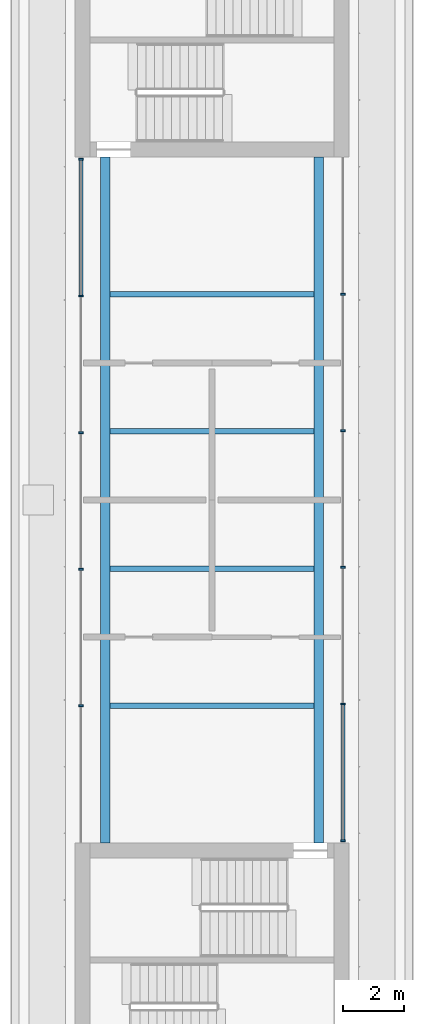
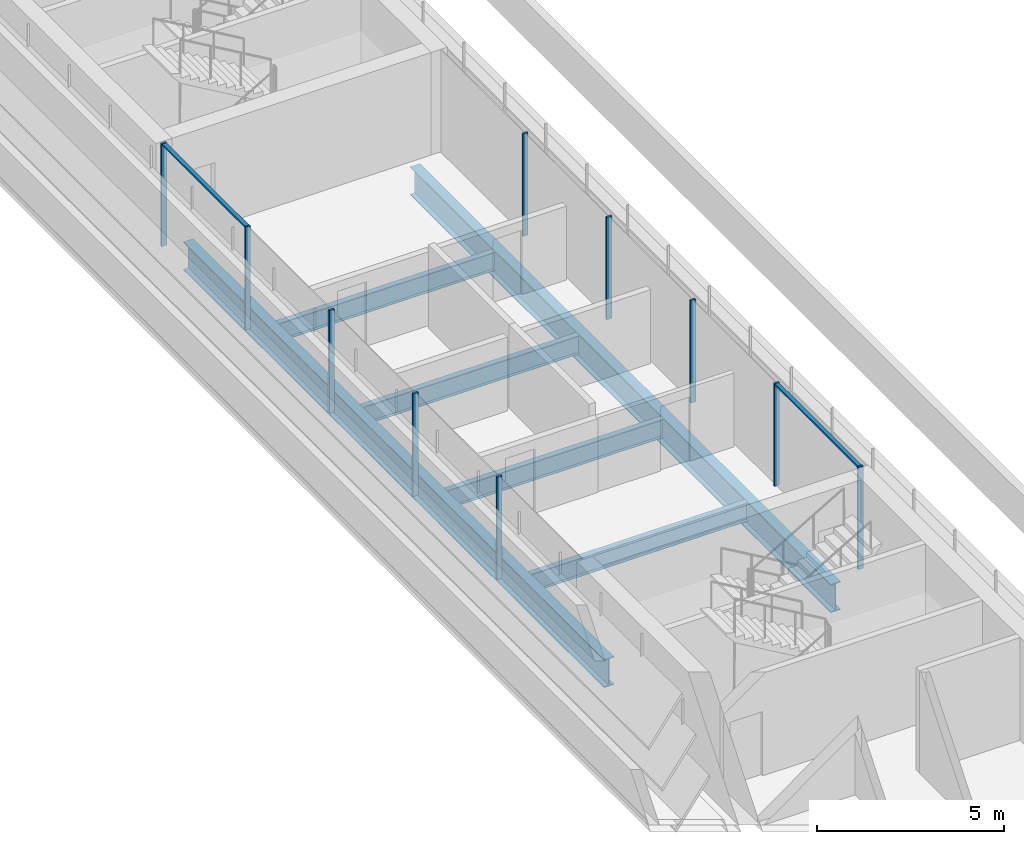
# One storey, part 1 of 6: 12 members, 6 beams, 2 elements without a shape of their own.
"""IFC4 building model written with IfcOpenShell, lengths in metres."""

from ifc_helpers import new_model, si_unit, direction, frame, origin, origin_2d, place, context, subcontext, project, spatial, polyline, i_section, outline, extrude, source, transform, mapped, material, material_profile, profile_set, type_object, element, aggregate, save


model = new_model("IFC4")

# Units and contexts
model_context = context("Model", 3, precision=1e-05, world=origin(), true_north=direction((0.0, 1.0)))
body_context = subcontext(model_context, "Body", "Model", "MODEL_VIEW")
ifc_project = project(units=[si_unit("LENGTHUNIT", "METRE"), si_unit("AREAUNIT", "SQUARE_METRE"), si_unit("VOLUMEUNIT", "CUBIC_METRE"), si_unit("PLANEANGLEUNIT", "RADIAN"), si_unit("MASSUNIT", "GRAM", prefix="KILO")], contexts=[model_context])

# Site, building, storey
site_placement = place(None, origin())
site = spatial("IfcSite", under=ifc_project, at=site_placement, CompositionType="ELEMENT")
building_placement = place(site_placement, origin())
building = spatial("IfcBuilding", under=site, at=building_placement, Name="Zarbagh Exchange Tower", CompositionType="ELEMENT")
storey_placement = place(building_placement, frame((0.0, 0.0, 316.800048828125)))
storey = spatial("IfcBuildingStorey", under=building, at=storey_placement, Name="L78", CompositionType="ELEMENT", Elevation=316.800048828125)

# Beams
ifc_material_1 = material(Name="Steel ASTM A992 Gr 50", Category="steel")
ifc_material_profile_1 = material_profile(ifc_material_1, i_section(OverallWidth=0.1787109375, OverallDepth=0.60205078125, WebThickness=0.010986328125, FlangeThickness=0.014892578125, at=origin_2d()), Name="W24X62")
ifc_profile_set_1 = profile_set([ifc_material_profile_1], Name="Steel ASTM A992 Gr 50")
beam_type_1 = type_object("IfcBeamType", Name="Floor beam W24X62", PredefinedType="BEAM", material=ifc_profile_set_1)
for number, where, z_axis, x_axis, name in (
    (1, (-3.34765625, -6.75, -0.450927734375), (1.0, 0.0, 0.0), (0.0, 1.0, 0.0), "Steel floor beam"),
    (2, (-3.34765625, -2.25, -0.450927734375), (1.0, 0.0, 0.0), (0.0, 1.0, 0.0), "Steel floor beam"),
    (3, (-3.34765625, 2.25, -0.450927734375), (1.0, 0.0, 0.0), (0.0, 1.0, 0.0), "Steel floor beam"),
    (4, (-3.34765625, 6.75, -0.450927734375), (1.0, 0.0, 0.0), (0.0, 1.0, 0.0), "Steel floor beam"),
):
    element("IfcBeam", number, at=place(storey_placement, frame(where, z_axis=z_axis, x_axis=x_axis)), inside=storey, type_object=beam_type_1, Name=name, PredefinedType="BEAM", context=body_context, shape_type="SweptSolid", body=[
        extrude(i_section(OverallWidth=0.1787109375, OverallDepth=0.60205078125, WebThickness=0.010986328125, FlangeThickness=0.014892578125, at=origin_2d()), origin(), (0.0, 0.0, 1.0), 6.6953125),
    ])
ifc_material_profile_2 = material_profile(ifc_material_1, i_section(OverallWidth=0.3046875, OverallDepth=0.91943359375, WebThickness=0.017333984375, FlangeThickness=0.02783203125, at=origin_2d()), Name="W36X170")
ifc_profile_set_2 = profile_set([ifc_material_profile_2], Name="Steel ASTM A992 Gr 50")
beam_type_2 = type_object("IfcBeamType", Name="Floor girder W36X170", PredefinedType="BEAM", material=ifc_profile_set_2)
for number, where, z_axis, x_axis, name in (
    (5, (-3.5, -11.25, -0.60986328125), (0.0, 1.0, 0.0), (-1.0, 0.0, 0.0), "Steel girder"),
    (6, (3.5, -11.25, -0.60986328125), (0.0, 1.0, 0.0), (-1.0, 0.0, 0.0), "Steel girder"),
):
    element("IfcBeam", number, at=place(storey_placement, frame(where, z_axis=z_axis, x_axis=x_axis)), inside=storey, type_object=beam_type_2, Name=name, PredefinedType="BEAM", context=body_context, shape_type="SweptSolid", body=[
        extrude(i_section(OverallWidth=0.3046875, OverallDepth=0.91943359375, WebThickness=0.017333984375, FlangeThickness=0.02783203125, at=origin_2d()), origin(), (0.0, 0.0, 1.0), 22.5),
    ])

# Curtain wall, member
ifc_material_2 = material(Name="Anodised aluminium frame and glazing", Category="aluminium")
curtain_wall_type = type_object("IfcCurtainWallType", Name="CWF Crown tier glazing", PredefinedType="NOTDEFINED", material=ifc_material_2)
curtain_wall_1_placement = place(storey_placement, origin())
curtain_wall_1 = element("IfcCurtainWall", 7, at=curtain_wall_1_placement, inside=storey, type_object=curtain_wall_type, Name="CWF51 curtain wall", PredefinedType="NOTDEFINED")
ifc_material_3 = material(Name="Anodised aluminium frame", Category="aluminium")
member_type_1 = type_object("IfcMemberType", Name="TRF Transom, anodised aluminium frame", PredefinedType="USERDEFINED", material=ifc_material_3)
shared_shape_1 = source(origin(), body_context, "Body", "SweptSolid", [
    extrude(outline(polyline([(-0.06005859375, -0.06005859375), (0.0, -0.06005859375), (0.0, 0.06005859375), (-0.06005859375, 0.06005859375), (-0.06005859375, -0.06005859375)])), origin(), (0.0, 0.0, 1.0), 4.424072265625),
])
placement = place(storey_placement, origin())
member_1 = element("IfcMember", 8, at=placement, type_object=member_type_1, Name="CWF51 transom 1.1", ObjectType="TRANSOM", PredefinedType="USERDEFINED", context=body_context, shape_type="MappedRepresentation", body=[
    mapped(shared_shape_1, transform((4.300048828125, -11.14990234375, 3.349853515625), x_axis=(0.0, 0.0, 1.0), y_axis=(1.0, 0.0, 0.0), z_axis=(0.0, 1.0, 0.0))),
])

curtain_wall_2_placement = place(storey_placement, origin())
curtain_wall_2 = element("IfcCurtainWall", 9, at=curtain_wall_2_placement, inside=storey, type_object=curtain_wall_type, Name="CWF52 curtain wall", PredefinedType="NOTDEFINED")
member_2 = element("IfcMember", 10, at=placement, type_object=member_type_1, Name="CWF52 transom 1.1", ObjectType="TRANSOM", PredefinedType="USERDEFINED", context=body_context, shape_type="MappedRepresentation", body=[
    mapped(shared_shape_1, transform((-4.300048828125, 11.14990234375, 3.349853515625), x_axis=(0.0, 0.0, 1.0), y_axis=(-1.0, 0.0, 0.0), z_axis=(0.0, -1.0, 0.0))),
])

# Member
member_type_2 = type_object("IfcMemberType", Name="MUF Mullion, anodised aluminium frame", PredefinedType="MULLION", material=ifc_material_3)
shared_shape_2 = source(origin(), body_context, "Body", "SweptSolid", [
    extrude(outline(polyline([(0.0, -0.080078125), (0.06005859375, -0.080078125), (0.06005859375, 0.080078125), (0.0, 0.080078125), (0.0, -0.080078125)])), origin(), (0.0, 0.0, 1.0), 3.35009765625),
])
member_3 = element("IfcMember", 11, at=placement, type_object=member_type_2, Name="CWF51 mullion 1.1", PredefinedType="MULLION", context=body_context, shape_type="MappedRepresentation", body=[
    mapped(shared_shape_2, transform((4.300048828125, -11.2099609375, 0.0), x_axis=(0.0, 1.0, 0.0), y_axis=(-1.0, 0.0, 0.0), z_axis=(0.0, 0.0, 1.0))),
])

member_4 = element("IfcMember", 12, at=placement, type_object=member_type_2, Name="CWF51 mullion 1.2", PredefinedType="MULLION", context=body_context, shape_type="MappedRepresentation", body=[
    mapped(shared_shape_2, transform((4.300048828125, -6.72607421875, 0.0), x_axis=(0.0, 1.0, 0.0), y_axis=(-1.0, 0.0, 0.0), z_axis=(0.0, 0.0, 1.0))),
])

member_5 = element("IfcMember", 13, at=placement, type_object=member_type_2, Name="CWF51 mullion 1.3", PredefinedType="MULLION", context=body_context, shape_type="MappedRepresentation", body=[
    mapped(shared_shape_2, transform((4.300048828125, -2.241943359375, 0.0), x_axis=(0.0, 1.0, 0.0), y_axis=(-1.0, 0.0, 0.0), z_axis=(0.0, 0.0, 1.0))),
])

member_6 = element("IfcMember", 14, at=placement, type_object=member_type_2, Name="CWF51 mullion 1.4", PredefinedType="MULLION", context=body_context, shape_type="MappedRepresentation", body=[
    mapped(shared_shape_2, transform((4.300048828125, 2.241943359375, 0.0), x_axis=(0.0, 1.0, 0.0), y_axis=(-1.0, 0.0, 0.0), z_axis=(0.0, 0.0, 1.0))),
])

member_7 = element("IfcMember", 15, at=placement, type_object=member_type_2, Name="CWF51 mullion 1.5", PredefinedType="MULLION", context=body_context, shape_type="MappedRepresentation", body=[
    mapped(shared_shape_2, transform((4.300048828125, 6.72607421875, 0.0), x_axis=(0.0, 1.0, 0.0), y_axis=(-1.0, 0.0, 0.0), z_axis=(0.0, 0.0, 1.0))),
])

aggregate(curtain_wall_1, [member_3, member_1, member_4, member_5, member_6, member_7])

member_8 = element("IfcMember", 16, at=placement, type_object=member_type_2, Name="CWF52 mullion 1.1", PredefinedType="MULLION", context=body_context, shape_type="MappedRepresentation", body=[
    mapped(shared_shape_2, transform((-4.300048828125, 11.2099609375, 0.0), x_axis=(0.0, -1.0, 0.0), y_axis=(1.0, 0.0, 0.0), z_axis=(0.0, 0.0, 1.0))),
])

member_9 = element("IfcMember", 17, at=placement, type_object=member_type_2, Name="CWF52 mullion 1.2", PredefinedType="MULLION", context=body_context, shape_type="MappedRepresentation", body=[
    mapped(shared_shape_2, transform((-4.300048828125, 6.72607421875, 0.0), x_axis=(0.0, -1.0, 0.0), y_axis=(1.0, 0.0, 0.0), z_axis=(0.0, 0.0, 1.0))),
])

member_10 = element("IfcMember", 18, at=placement, type_object=member_type_2, Name="CWF52 mullion 1.3", PredefinedType="MULLION", context=body_context, shape_type="MappedRepresentation", body=[
    mapped(shared_shape_2, transform((-4.300048828125, 2.241943359375, 0.0), x_axis=(0.0, -1.0, 0.0), y_axis=(1.0, 0.0, 0.0), z_axis=(0.0, 0.0, 1.0))),
])

member_11 = element("IfcMember", 19, at=placement, type_object=member_type_2, Name="CWF52 mullion 1.4", PredefinedType="MULLION", context=body_context, shape_type="MappedRepresentation", body=[
    mapped(shared_shape_2, transform((-4.300048828125, -2.241943359375, 0.0), x_axis=(0.0, -1.0, 0.0), y_axis=(1.0, 0.0, 0.0), z_axis=(0.0, 0.0, 1.0))),
])

member_12 = element("IfcMember", 20, at=placement, type_object=member_type_2, Name="CWF52 mullion 1.5", PredefinedType="MULLION", context=body_context, shape_type="MappedRepresentation", body=[
    mapped(shared_shape_2, transform((-4.300048828125, -6.72607421875, 0.0), x_axis=(0.0, -1.0, 0.0), y_axis=(1.0, 0.0, 0.0), z_axis=(0.0, 0.0, 1.0))),
])

aggregate(curtain_wall_2, [member_8, member_2, member_9, member_10, member_11, member_12])

save(model, "model.ifc")
